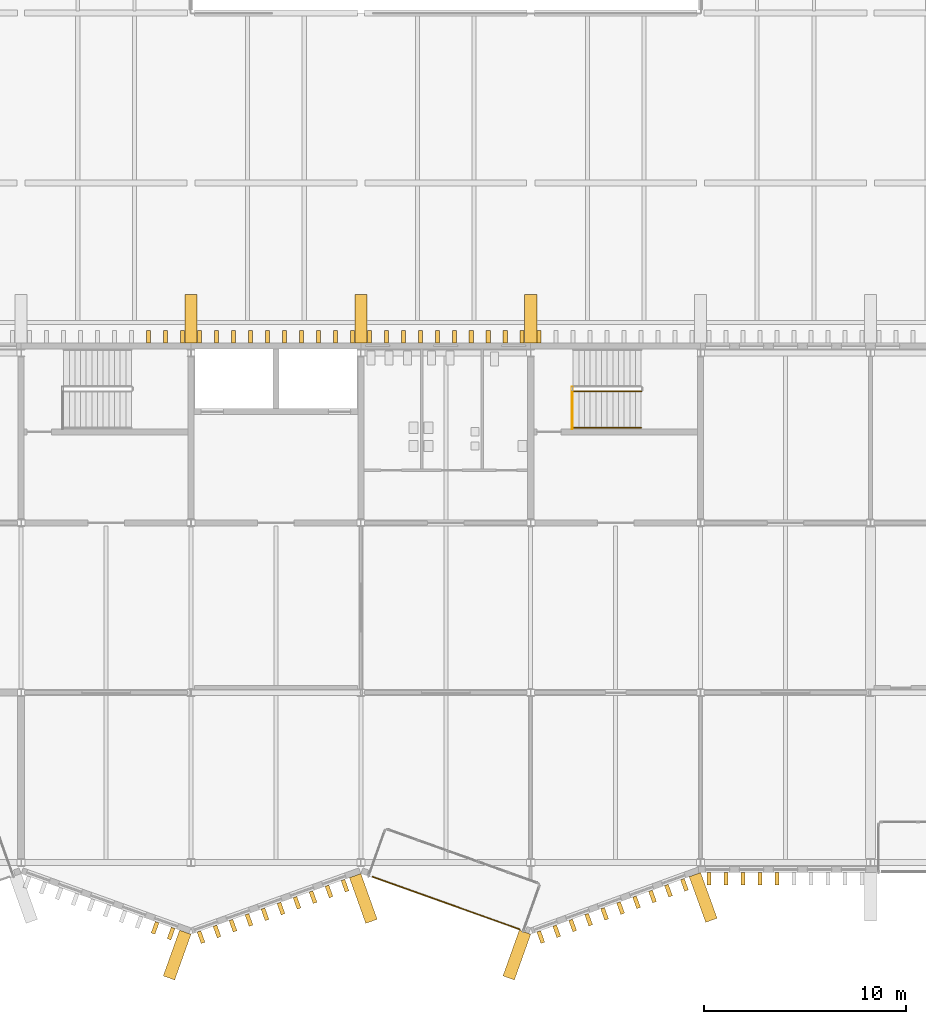
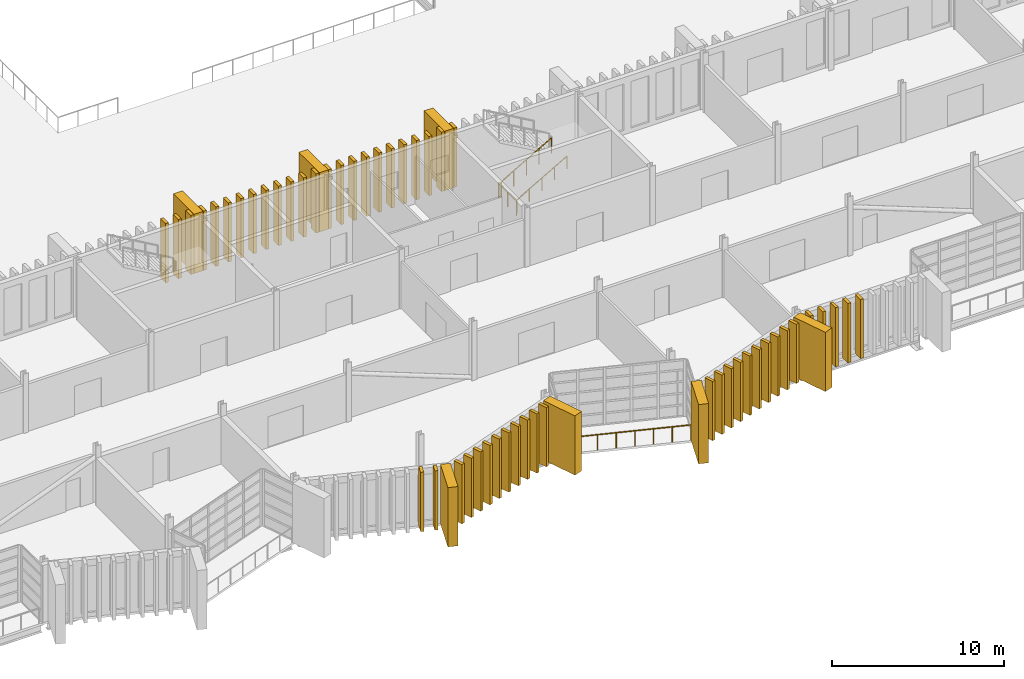
# One storey, part 80 of 96: 58 coverings, 4 railings.
"""IFC4 building model written with IfcOpenShell, lengths in metres."""

from ifc_helpers import new_model, si_unit, direction, frame, origin, origin_2d, place, context, subcontext, project, spatial, rectangle, circle, extrude, material, type_object, element, save


model = new_model("IFC4")

# Units and contexts
model_context = context("Model", 3, precision=1e-05, world=origin(), true_north=direction((0.0, 1.0)))
body_context = subcontext(model_context, "Body", "Model", "MODEL_VIEW")
ifc_project = project(units=[si_unit("LENGTHUNIT", "METRE"), si_unit("AREAUNIT", "SQUARE_METRE"), si_unit("VOLUMEUNIT", "CUBIC_METRE"), si_unit("PLANEANGLEUNIT", "RADIAN"), si_unit("MASSUNIT", "GRAM", prefix="KILO")], contexts=[model_context])

# Site, building, storey
site_placement = place(None, origin())
site = spatial("IfcSite", under=ifc_project, at=site_placement, CompositionType="ELEMENT")
building_placement = place(site_placement, origin())
building = spatial("IfcBuilding", under=site, at=building_placement, Name="Cresset Court Congress Hotel", CompositionType="ELEMENT")
storey_placement = place(building_placement, frame((0.0, 0.0, 6.0)))
storey = spatial("IfcBuildingStorey", under=building, at=storey_placement, Name="L01", CompositionType="ELEMENT", Elevation=6.0)

# Railings
ifc_material_1 = material(Name="Steel and laminated glass", Category="steel")
railing_type_1 = type_object("IfcRailingType", Name="Guard 1100 steel and glass", PredefinedType="GUARDRAIL", material=ifc_material_1)
railing_1_placement = place(storey_placement, frame((60.89990234375, 23.300048828125, 0.16162109375)))
element("IfcRailing", 1, at=railing_1_placement, inside=storey, type_object=railing_type_1, Name="L01 ST-B3 stair guard 1", PredefinedType="GUARDRAIL", context=body_context, shape_type="SweptSolid", body=[
    extrude(circle(Radius=0.02392578125, at=origin_2d()), frame((0.0, 0.0, 1.076171875), z_axis=(0.866190824863, 0.0, 0.499713372768), x_axis=(0.0, 1.0, 0.0)), (0.0, 0.0, 1.0), 3.879150390625),
    extrude(circle(Radius=0.02099609375, at=origin_2d()), origin(), (0.0, 0.0, 1.0), 1.052001953125),
    extrude(circle(Radius=0.02099609375, at=origin_2d()), frame((0.840087890625, 0.0, 0.484619140625)), (0.0, 0.0, 1.0), 1.052001953125),
    extrude(circle(Radius=0.02099609375, at=origin_2d()), frame((1.68017578125, 0.0, 0.96923828125)), (0.0, 0.0, 1.0), 1.052001953125),
    extrude(circle(Radius=0.02099609375, at=origin_2d()), frame((2.52001953125, 0.0, 1.453857421875)), (0.0, 0.0, 1.0), 1.052001953125),
    extrude(circle(Radius=0.02099609375, at=origin_2d()), frame((3.360107421875, 0.0, 1.9384765625)), (0.0, 0.0, 1.0), 1.052001953125),
])
railing_2_placement = place(storey_placement, frame((60.85009765625, 21.449951171875, 0.0)))
element("IfcRailing", 2, at=railing_2_placement, inside=storey, type_object=railing_type_1, Name="L01 ST-B3 stair guard 5", PredefinedType="GUARDRAIL", context=body_context, shape_type="SweptSolid", body=[
    extrude(circle(Radius=0.02392578125, at=origin_2d()), frame((0.0, 0.0, 1.076171875), z_axis=(0.0, 1.0, 0.0), x_axis=(-1.0, 0.0, 0.0)), (0.0, 0.0, 1.0), 2.050048828125),
    extrude(circle(Radius=0.02099609375, at=origin_2d()), origin(), (0.0, 0.0, 1.0), 1.052001953125),
    extrude(circle(Radius=0.02099609375, at=origin_2d()), frame((0.0, 1.02490234375, 0.0)), (0.0, 0.0, 1.0), 1.052001953125),
    extrude(circle(Radius=0.02099609375, at=origin_2d()), frame((0.0, 2.050048828125, 0.0)), (0.0, 0.0, 1.0), 1.052001953125),
])
ifc_material_2 = material(Name="Steel and laminated glass", Category="steel")
railing_type_2 = type_object("IfcRailingType", Name="Guard 1100 steel and glass external", PredefinedType="GUARDRAIL", material=ifc_material_2)
railing_3_placement = place(storey_placement, frame((50.98193359375, -0.704833984375, 0.0)))
element("IfcRailing", 3, at=railing_3_placement, inside=storey, type_object=railing_type_2, Name="Guard to recess S0106", PredefinedType="GUARDRAIL", context=body_context, shape_type="SweptSolid", body=[
    extrude(circle(Radius=0.02392578125, at=origin_2d()), frame((0.0, 0.0, 1.076171875), z_axis=(0.941748351249, -0.336318365422, 0.0), x_axis=(0.336318365422, 0.941748351249, 0.0)), (0.0, 0.0, 1.0), 7.719482421875),
    extrude(circle(Radius=0.02099609375, at=origin_2d()), origin(), (0.0, 0.0, 1.0), 1.052001953125),
    extrude(circle(Radius=0.02099609375, at=origin_2d()), frame((1.03857421875, -0.370849609375, 0.0)), (0.0, 0.0, 1.0), 1.052001953125),
    extrude(circle(Radius=0.02099609375, at=origin_2d()), frame((2.0771484375, -0.74169921875, 0.0)), (0.0, 0.0, 1.0), 1.052001953125),
    extrude(circle(Radius=0.02099609375, at=origin_2d()), frame((3.11572265625, -1.112548828125, 0.0)), (0.0, 0.0, 1.0), 1.052001953125),
    extrude(circle(Radius=0.02099609375, at=origin_2d()), frame((4.154052734375, -1.483642578125, 0.0)), (0.0, 0.0, 1.0), 1.052001953125),
    extrude(circle(Radius=0.02099609375, at=origin_2d()), frame((5.192626953125, -1.8544921875, 0.0)), (0.0, 0.0, 1.0), 1.052001953125),
    extrude(circle(Radius=0.02099609375, at=origin_2d()), frame((6.231201171875, -2.225341796875, 0.0)), (0.0, 0.0, 1.0), 1.052001953125),
    extrude(circle(Radius=0.02099609375, at=origin_2d()), frame((7.269775390625, -2.59619140625, 0.0)), (0.0, 0.0, 1.0), 1.052001953125),
])
ifc_material_3 = material(Name="Stainless steel", Category="steel")
railing_type_3 = type_object("IfcRailingType", Name="Handrail 48 stainless", PredefinedType="HANDRAIL", material=ifc_material_3)
railing_4_placement = place(storey_placement, frame((60.89990234375, 21.5, 0.16162109375)))
element("IfcRailing", 4, at=railing_4_placement, inside=storey, type_object=railing_type_3, Name="L01 ST-B3 stair handrail 1", PredefinedType="HANDRAIL", context=body_context, shape_type="SweptSolid", body=[
    extrude(circle(Radius=0.02392578125, at=origin_2d()), frame((0.0, 0.0, 0.8759765625), z_axis=(0.866190824863, 0.0, 0.499713372768), x_axis=(0.0, 1.0, 0.0)), (0.0, 0.0, 1.0), 3.879150390625),
    extrude(circle(Radius=0.02099609375, at=origin_2d()), origin(), (0.0, 0.0, 1.0), 0.851806640625),
    extrude(circle(Radius=0.02099609375, at=origin_2d()), frame((0.840087890625, 0.0, 0.484619140625)), (0.0, 0.0, 1.0), 0.851806640625),
    extrude(circle(Radius=0.02099609375, at=origin_2d()), frame((1.68017578125, 0.0, 0.96923828125)), (0.0, 0.0, 1.0), 0.851806640625),
    extrude(circle(Radius=0.02099609375, at=origin_2d()), frame((2.52001953125, 0.0, 1.453857421875)), (0.0, 0.0, 1.0), 0.851806640625),
    extrude(circle(Radius=0.02099609375, at=origin_2d()), frame((3.360107421875, 0.0, 1.9384765625)), (0.0, 0.0, 1.0), 0.851806640625),
])

# Coverings
ifc_material_4 = material(Name="Precast concrete C50", Category="concrete")
covering_type_1 = type_object("IfcCoveringType", Name="Precast stone fin 200x600 variant 1", PredefinedType="CLADDING", material=ifc_material_4)
for number, where, z_axis, x_axis, name in (
    (5, (40.22314453125, -3.23388671875, 0.0), (0.0, 0.0, 1.0), (0.94174205282, -0.336336001568, 0.0), "Fin S01-038"),
    (6, (41.01416015625, -3.5166015625, 0.0), (0.0, 0.0, 1.0), (0.94174205282, -0.336336001568, 0.0), "Fin S01-039"),
    (7, (42.496337890625, -3.691162109375, 0.0), (0.0, 0.0, 1.0), (0.94174205282, 0.336336001568, 0.0), "Fin S01-040"),
    (8, (43.28759765625, -3.40869140625, 0.0), (0.0, 0.0, 1.0), (0.94174205282, 0.336336001568, 0.0), "Fin S01-041"),
    (9, (44.07861328125, -3.126220703125, 0.0), (0.0, 0.0, 1.0), (0.94174205282, 0.336336001568, 0.0), "Fin S01-042"),
    (10, (44.86962890625, -2.84375, 0.0), (0.0, 0.0, 1.0), (0.94174205282, 0.336336001568, 0.0), "Fin S01-043"),
    (11, (45.66064453125, -2.561279296875, 0.0), (0.0, 0.0, 1.0), (0.94174205282, 0.336336001568, 0.0), "Fin S01-044"),
    (12, (46.45166015625, -2.278564453125, 0.0), (0.0, 0.0, 1.0), (0.94174205282, 0.336336001568, 0.0), "Fin S01-045"),
    (13, (47.242919921875, -1.99609375, 0.0), (0.0, 0.0, 1.0), (0.94174205282, 0.336336001568, 0.0), "Fin S01-046"),
    (14, (48.033935546875, -1.713623046875, 0.0), (0.0, 0.0, 1.0), (0.94174205282, 0.336336001568, 0.0), "Fin S01-047"),
    (15, (48.824951171875, -1.43115234375, 0.0), (0.0, 0.0, 1.0), (0.94174205282, 0.336336001568, 0.0), "Fin S01-048"),
    (16, (49.615966796875, -1.1484375, 0.0), (0.0, 0.0, 1.0), (0.94174205282, 0.336336001568, 0.0), "Fin S01-049"),
    (17, (59.297119140625, -3.688720703125, 0.0), (0.0, 0.0, 1.0), (0.939956783309, 0.341293488819, 0.0), "Fin S01-060"),
    (18, (60.086669921875, -3.40185546875, 0.0), (0.0, 0.0, 1.0), (0.939956783309, 0.341293488819, 0.0), "Fin S01-061"),
    (19, (60.876220703125, -3.115234375, 0.0), (0.0, 0.0, 1.0), (0.939956783309, 0.341293488819, 0.0), "Fin S01-062"),
    (20, (61.665771484375, -2.82861328125, 0.0), (0.0, 0.0, 1.0), (0.939956783309, 0.341293488819, 0.0), "Fin S01-063"),
    (21, (62.455322265625, -2.5419921875, 0.0), (0.0, 0.0, 1.0), (0.939956783309, 0.341293488819, 0.0), "Fin S01-064"),
    (22, (63.244873046875, -2.255126953125, 0.0), (0.0, 0.0, 1.0), (0.939956783309, 0.341293488819, 0.0), "Fin S01-065"),
    (23, (64.03466796875, -1.968505859375, 0.0), (0.0, 0.0, 1.0), (0.939956783309, 0.341293488819, 0.0), "Fin S01-066"),
    (24, (64.82421875, -1.681884765625, 0.0), (0.0, 0.0, 1.0), (0.939956783309, 0.341293488819, 0.0), "Fin S01-067"),
    (25, (65.61376953125, -1.395263671875, 0.0), (0.0, 0.0, 1.0), (0.939956783309, 0.341293488819, 0.0), "Fin S01-068"),
    (26, (66.4033203125, -1.1083984375, 0.0), (0.0, 0.0, 1.0), (0.939956783309, 0.341293488819, 0.0), "Fin S01-069"),
    (27, (67.6201171875, -0.800048828125, 0.0), (0.0, 0.0, 1.0), (1.0, 0.0, 0.0), "Fin S01-070"),
    (28, (68.4599609375, -0.800048828125, 0.0), (0.0, 0.0, 1.0), (1.0, 0.0, 0.0), "Fin S01-071"),
    (29, (69.300048828125, -0.800048828125, 0.0), (0.0, 0.0, 1.0), (1.0, 0.0, 0.0), "Fin S01-072"),
    (30, (70.139892578125, -0.800048828125, 0.0), (0.0, 0.0, 1.0), (1.0, 0.0, 0.0), "Fin S01-073"),
    (31, (70.97998046875, -0.800048828125, 0.0), (0.0, 0.0, 1.0), (1.0, 0.0, 0.0), "Fin S01-074"),
    (32, (39.89990234375, 26.0, 0.0), (0.0, 0.0, 1.0), (1.0, 0.0, 0.0), "Fin N01-037"),
    (33, (40.739990234375, 26.0, 0.0), (0.0, 0.0, 1.0), (1.0, 0.0, 0.0), "Fin N01-038"),
    (34, (41.580078125, 26.0, 0.0), (0.0, 0.0, 1.0), (1.0, 0.0, 0.0), "Fin N01-039"),
    (35, (42.419921875, 26.0, 0.0), (0.0, 0.0, 1.0), (1.0, 0.0, 0.0), "Fin N01-040"),
    (36, (43.260009765625, 26.0, 0.0), (0.0, 0.0, 1.0), (1.0, 0.0, 0.0), "Fin N01-041"),
    (37, (44.10009765625, 26.0, 0.0), (0.0, 0.0, 1.0), (1.0, 0.0, 0.0), "Fin N01-042"),
    (38, (44.93994140625, 26.0, 0.0), (0.0, 0.0, 1.0), (1.0, 0.0, 0.0), "Fin N01-043"),
    (39, (45.780029296875, 26.0, 0.0), (0.0, 0.0, 1.0), (1.0, 0.0, 0.0), "Fin N01-044"),
    (40, (46.6201171875, 26.0, 0.0), (0.0, 0.0, 1.0), (1.0, 0.0, 0.0), "Fin N01-045"),
    (41, (47.4599609375, 26.0, 0.0), (0.0, 0.0, 1.0), (1.0, 0.0, 0.0), "Fin N01-046"),
    (42, (48.300048828125, 26.0, 0.0), (0.0, 0.0, 1.0), (1.0, 0.0, 0.0), "Fin N01-047"),
    (43, (49.139892578125, 26.0, 0.0), (0.0, 0.0, 1.0), (1.0, 0.0, 0.0), "Fin N01-048"),
    (44, (49.97998046875, 26.0, 0.0), (0.0, 0.0, 1.0), (1.0, 0.0, 0.0), "Fin N01-049"),
    (45, (50.820068359375, 26.0, 0.0), (0.0, 0.0, 1.0), (1.0, 0.0, 0.0), "Fin N01-050"),
    (46, (51.659912109375, 26.0, 0.0), (0.0, 0.0, 1.0), (1.0, 0.0, 0.0), "Fin N01-051"),
    (47, (52.5, 26.0, 0.0), (0.0, 0.0, 1.0), (1.0, 0.0, 0.0), "Fin N01-052"),
    (48, (53.340087890625, 26.0, 0.0), (0.0, 0.0, 1.0), (1.0, 0.0, 0.0), "Fin N01-053"),
    (49, (54.179931640625, 26.0, 0.0), (0.0, 0.0, 1.0), (1.0, 0.0, 0.0), "Fin N01-054"),
    (50, (55.02001953125, 26.0, 0.0), (0.0, 0.0, 1.0), (1.0, 0.0, 0.0), "Fin N01-055"),
    (51, (55.860107421875, 26.0, 0.0), (0.0, 0.0, 1.0), (1.0, 0.0, 0.0), "Fin N01-056"),
    (52, (56.699951171875, 26.0, 0.0), (0.0, 0.0, 1.0), (1.0, 0.0, 0.0), "Fin N01-057"),
    (53, (57.5400390625, 26.0, 0.0), (0.0, 0.0, 1.0), (1.0, 0.0, 0.0), "Fin N01-058"),
    (54, (58.3798828125, 26.0, 0.0), (0.0, 0.0, 1.0), (1.0, 0.0, 0.0), "Fin N01-059"),
    (55, (59.219970703125, 26.0, 0.0), (0.0, 0.0, 1.0), (1.0, 0.0, 0.0), "Fin N01-060"),
):
    element("IfcCovering", number, at=place(storey_placement, frame(where, z_axis=z_axis, x_axis=x_axis)), inside=storey, type_object=covering_type_1, Name=name, PredefinedType="CLADDING", context=body_context, shape_type="SweptSolid", body=[
        extrude(rectangle(XDim=0.199951171875, YDim=0.60009765625, at=origin_2d()), origin(), (0.0, 0.0, 1.0), 4.199951171875),
    ])
ifc_material_5 = material(Name="Precast concrete C50", Category="concrete")
covering_type_2 = type_object("IfcCoveringType", Name="Precast stone pier 600x2400", PredefinedType="CLADDING", material=ifc_material_5)
for number, where, z_axis, x_axis, name in (
    (56, (41.31396484375, -4.5791015625, 0.0), (0.0, 0.0, 1.0), (0.94174205282, -0.336336001568, 0.0), "Pier S01-04"),
    (57, (50.52099609375, -1.781005859375, 0.0), (0.0, 0.0, 1.0), (0.94174205282, 0.336336001568, 0.0), "Pier S01-05"),
    (58, (58.11376953125, -4.5791015625, 0.0), (0.0, 0.0, 1.0), (0.94174205282, -0.336336001568, 0.0), "Pier S01-06"),
    (59, (67.32763671875, -1.730224609375, 0.0), (0.0, 0.0, 1.0), (0.939956783309, 0.341293488819, 0.0), "Pier S01-07"),
    (60, (42.0, 26.89990234375, 0.0), (0.0, 0.0, 1.0), (1.0, 0.0, 0.0), "Pier N01-04"),
    (61, (50.39990234375, 26.89990234375, 0.0), (0.0, 0.0, 1.0), (1.0, 0.0, 0.0), "Pier N01-05"),
    (62, (58.800048828125, 26.89990234375, 0.0), (0.0, 0.0, 1.0), (1.0, 0.0, 0.0), "Pier N01-06"),
):
    element("IfcCovering", number, at=place(storey_placement, frame(where, z_axis=z_axis, x_axis=x_axis)), inside=storey, type_object=covering_type_2, Name=name, PredefinedType="CLADDING", context=body_context, shape_type="SweptSolid", body=[
        extrude(rectangle(XDim=0.60009765625, YDim=2.39990234375, at=origin_2d()), origin(), (0.0, 0.0, 1.0), 4.199951171875),
    ])

save(model, "model.ifc")
